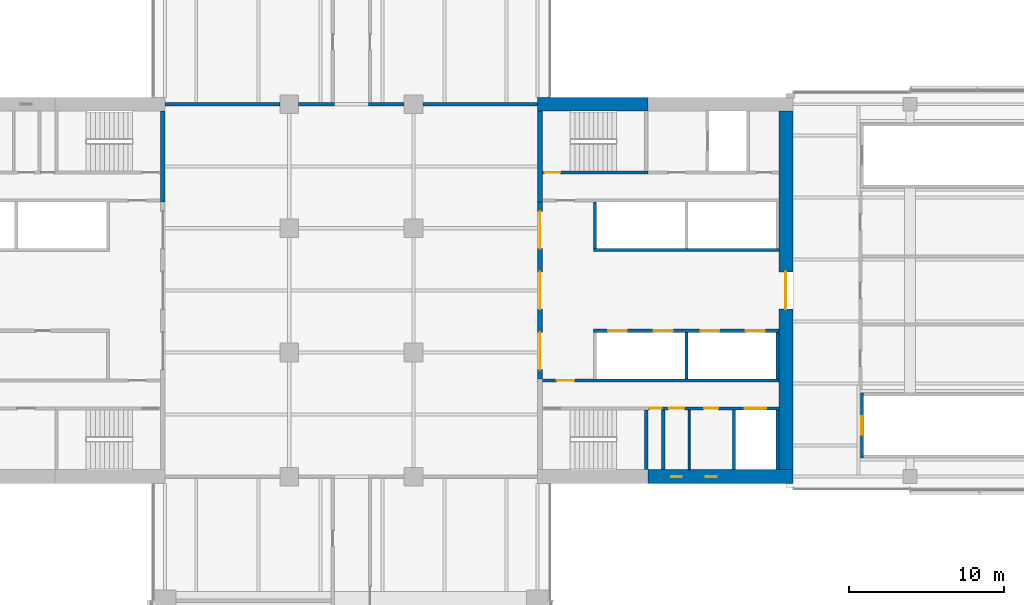
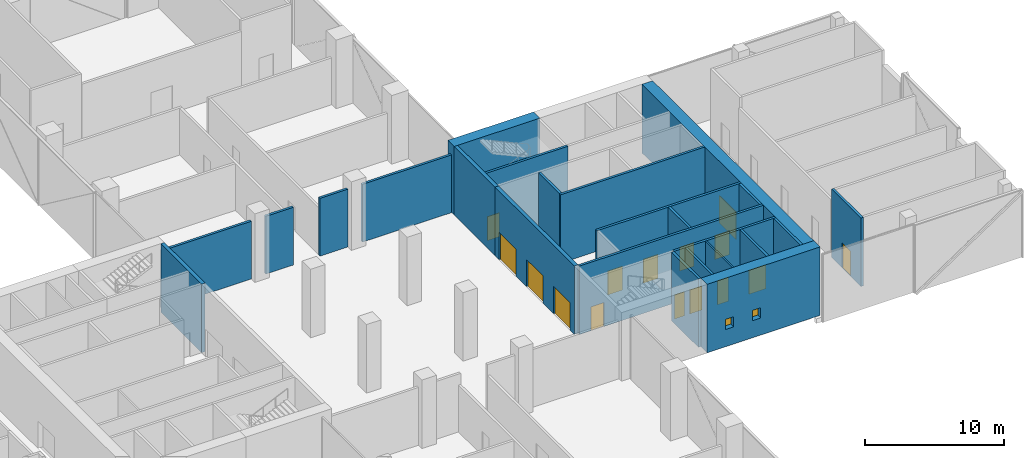
# One storey, part 16 of 23: 24 walls, 15 doors, 2 windows, 17 openings.
"""IFC4 building model written with IfcOpenShell, lengths in metres."""

from ifc_helpers import new_model, si_unit, direction, frame, frame_2d, origin, place, context, subcontext, project, spatial, rectangle, extrude, material, layer, layer_set, constituent, constituent_set, type_object, element, fill, save


model = new_model("IFC4")

# Units and contexts
model_context = context("Model", 3, precision=1e-05, world=origin(), true_north=direction((0.0, 1.0)))
body_context = subcontext(model_context, "Body", "Model", "MODEL_VIEW")
ifc_project = project(units=[si_unit("LENGTHUNIT", "METRE"), si_unit("AREAUNIT", "SQUARE_METRE"), si_unit("VOLUMEUNIT", "CUBIC_METRE"), si_unit("PLANEANGLEUNIT", "RADIAN"), si_unit("MASSUNIT", "GRAM", prefix="KILO")], contexts=[model_context])

# Site, building, storey
site_placement = place(None, origin())
site = spatial("IfcSite", under=ifc_project, at=site_placement, CompositionType="ELEMENT")
building_placement = place(site_placement, origin())
building = spatial("IfcBuilding", under=site, at=building_placement, Name="Crosswind Convention Tower", CompositionType="ELEMENT")
storey_placement = place(building_placement, frame((0.0, 0.0, 41.5)))
storey = spatial("IfcBuildingStorey", under=building, at=storey_placement, Name="L05", CompositionType="ELEMENT", Elevation=41.5)

# Wall
ifc_material_1 = material(Name="Concrete blockwork", Category="masonry")
ifc_layer_1 = layer(ifc_material_1, 0.199951171875)
ifc_layer_set_1 = layer_set([ifc_layer_1], Name="Blockwork partition wall 200")
wall_type_1 = type_object("IfcWallType", Name="Blockwork partition wall 200", PredefinedType="PARTITIONING", material=ifc_layer_set_1)
wall_1_placement = place(storey_placement, frame((145.10009765625, 88.449951171875, 0.0), z_axis=(0.0, 0.0, 1.0), x_axis=(0.0, 1.0, 0.0)))
element("IfcWall", 1, at=wall_1_placement, inside=storey, type_object=wall_type_1, Name="Wall MRSE E L05", PredefinedType="PARTITIONING", context=body_context, shape_type="SweptSolid", body=[
    extrude(rectangle(XDim=3.85009765625, YDim=0.199951171875, at=frame_2d((1.925048828125, 0.0))), origin(), (0.0, 0.0, 1.0), 6.0),
])

# Wall, opening, door
ifc_material_2 = material(Name="Concrete C60/75", Category="concrete")
ifc_layer_2 = layer(ifc_material_2, 0.89990234375)
ifc_layer_set_2 = layer_set([ifc_layer_2], Name="Concrete C60/75")
wall_type_2 = type_object("IfcWallType", Name="Concrete core wall 900", PredefinedType="SHEAR", material=ifc_layer_set_2)
wall_2_placement = place(storey_placement, frame((153.0, 88.449951171875, 0.0), z_axis=(0.0, 0.0, 1.0), x_axis=(0.0, 1.0, 0.0)))
wall_2 = element("IfcWall", 2, at=wall_2_placement, inside=storey, type_object=wall_type_2, Name="Wall O E L05", PredefinedType="SHEAR", context=body_context, shape_type="SweptSolid", body=[
    extrude(rectangle(XDim=23.10009765625, YDim=0.89990234375, at=frame_2d((11.550048828125, 0.0))), origin(), (0.0, 0.0, 1.0), 6.0),
])
opening_1_placement = place(wall_2_placement, frame((10.35009765625, 0.0, 0.0)))
opening_1 = element("IfcOpeningElement", 3, at=opening_1_placement, cuts=wall_2, Name="Opening D100", PredefinedType="OPENING", context=body_context, shape_type="SweptSolid", body=[
    extrude(rectangle(XDim=2.39990234375, YDim=2.39990234375, at=frame_2d((1.199951171875, 1.199951171875))), frame((0.0, 0.4599609375, 0.0), z_axis=(0.0, -1.0, 0.0), x_axis=(1.0, 0.0, 0.0)), (0.0, 0.0, 1.0), 0.919921875),
])
ifc_material_3 = material(Name="Steel fire door with glazed vision panels", Category="steel")
door_type_1 = type_object("IfcDoorType", Name="Fire-rated double door 2400x2400", OperationType="DOUBLE_DOOR_SINGLE_SWING", PredefinedType="DOOR", material=ifc_material_3)
door_1_placement = place(opening_1_placement, frame((2.39990234375, 0.0, 0.0), z_axis=(0.0, 0.0, 1.0), x_axis=(-1.0, 0.0, 0.0)))
door_1 = element("IfcDoor", 4, at=door_1_placement, inside=storey, type_object=door_type_1, Name="Lobby outer door L05", ObjectType="D100", OperationType="DOUBLE_DOOR_SINGLE_SWING", OverallHeight=2.39990234375, OverallWidth=2.39990234375, PredefinedType="DOOR", context=body_context, shape_type="SweptSolid", body=[
    extrude(rectangle(XDim=2.39990234375, YDim=2.39990234375, at=frame_2d((1.199951171875, 1.199951171875))), frame((0.0, 0.02490234375, 0.0), z_axis=(0.0, -1.0, 0.0), x_axis=(1.0, 0.0, 0.0)), (0.0, 0.0, 1.0), 0.050048828125),
])
fill(opening_1, door_1)

# Wall, openings, doors
ifc_material_4 = material(Name="Concrete C50/60", Category="concrete")
ifc_layer_3 = layer(ifc_material_4, 0.300048828125)
ifc_layer_set_3 = layer_set([ifc_layer_3], Name="Concrete C50/60")
wall_type_3 = type_object("IfcWallType", Name="Concrete inner core wall 300", PredefinedType="SHEAR", material=ifc_layer_set_3)
wall_3_placement = place(storey_placement, frame((137.14990234375, 94.300048828125, 0.0), z_axis=(0.0, 0.0, 1.0), x_axis=(0.0, 1.0, 0.0)))
wall_3 = element("IfcWall", 5, at=wall_3_placement, inside=storey, type_object=wall_type_3, Name="Wall SCR E L05", PredefinedType="SHEAR", context=body_context, shape_type="SweptSolid", body=[
    extrude(rectangle(XDim=11.39990234375, YDim=0.300048828125, at=frame_2d((5.699951171875, 0.0))), origin(), (0.0, 0.0, 1.0), 6.0),
])
opening_2_placement = place(wall_3_placement, frame((0.60009765625, 0.0, 0.0)))
opening_2 = element("IfcOpeningElement", 6, at=opening_2_placement, cuts=wall_3, Name="Opening D100", PredefinedType="OPENING", context=body_context, shape_type="SweptSolid", body=[
    extrude(rectangle(XDim=2.39990234375, YDim=2.39990234375, at=frame_2d((1.199951171875, 1.199951171875))), frame((0.0, 0.159912109375, 0.0), z_axis=(0.0, -1.0, 0.0), x_axis=(1.0, 0.0, 0.0)), (0.0, 0.0, 1.0), 0.320068359375),
])
opening_3_placement = place(wall_3_placement, frame((4.5, 0.0, 0.0)))
opening_3 = element("IfcOpeningElement", 7, at=opening_3_placement, cuts=wall_3, Name="Opening D100", PredefinedType="OPENING", context=body_context, shape_type="SweptSolid", body=[
    extrude(rectangle(XDim=2.39990234375, YDim=2.39990234375, at=frame_2d((1.199951171875, 1.199951171875))), frame((0.0, 0.159912109375, 0.0), z_axis=(0.0, -1.0, 0.0), x_axis=(1.0, 0.0, 0.0)), (0.0, 0.0, 1.0), 0.320068359375),
])
opening_4_placement = place(wall_3_placement, frame((8.39990234375, 0.0, 0.0)))
opening_4 = element("IfcOpeningElement", 8, at=opening_4_placement, cuts=wall_3, Name="Opening D100", PredefinedType="OPENING", context=body_context, shape_type="SweptSolid", body=[
    extrude(rectangle(XDim=2.39990234375, YDim=2.39990234375, at=frame_2d((1.199951171875, 1.199951171875))), frame((0.0, 0.159912109375, 0.0), z_axis=(0.0, -1.0, 0.0), x_axis=(1.0, 0.0, 0.0)), (0.0, 0.0, 1.0), 0.320068359375),
])
door_2_placement = place(opening_2_placement, frame((2.39990234375, 0.0, 0.0), z_axis=(0.0, 0.0, 1.0), x_axis=(-1.0, 0.0, 0.0)))
door_2 = element("IfcDoor", 9, at=door_2_placement, inside=storey, type_object=door_type_1, Name="Lobby door 1 L05", ObjectType="D100", OperationType="DOUBLE_DOOR_SINGLE_SWING", OverallHeight=2.39990234375, OverallWidth=2.39990234375, PredefinedType="DOOR", context=body_context, shape_type="SweptSolid", body=[
    extrude(rectangle(XDim=2.39990234375, YDim=2.39990234375, at=frame_2d((1.199951171875, 1.199951171875))), frame((0.0, 0.02490234375, 0.0), z_axis=(0.0, -1.0, 0.0), x_axis=(1.0, 0.0, 0.0)), (0.0, 0.0, 1.0), 0.050048828125),
])
fill(opening_2, door_2)
door_3_placement = place(opening_3_placement, frame((2.39990234375, 0.0, 0.0), z_axis=(0.0, 0.0, 1.0), x_axis=(-1.0, 0.0, 0.0)))
door_3 = element("IfcDoor", 10, at=door_3_placement, inside=storey, type_object=door_type_1, Name="Lobby door 2 L05", ObjectType="D100", OperationType="DOUBLE_DOOR_SINGLE_SWING", OverallHeight=2.39990234375, OverallWidth=2.39990234375, PredefinedType="DOOR", context=body_context, shape_type="SweptSolid", body=[
    extrude(rectangle(XDim=2.39990234375, YDim=2.39990234375, at=frame_2d((1.199951171875, 1.199951171875))), frame((0.0, 0.02490234375, 0.0), z_axis=(0.0, -1.0, 0.0), x_axis=(1.0, 0.0, 0.0)), (0.0, 0.0, 1.0), 0.050048828125),
])
fill(opening_3, door_3)
door_4_placement = place(opening_4_placement, frame((2.39990234375, 0.0, 0.0), z_axis=(0.0, 0.0, 1.0), x_axis=(-1.0, 0.0, 0.0)))
door_4 = element("IfcDoor", 11, at=door_4_placement, inside=storey, type_object=door_type_1, Name="Lobby door 3 L05", ObjectType="D100", OperationType="DOUBLE_DOOR_SINGLE_SWING", OverallHeight=2.39990234375, OverallWidth=2.39990234375, PredefinedType="DOOR", context=body_context, shape_type="SweptSolid", body=[
    extrude(rectangle(XDim=2.39990234375, YDim=2.39990234375, at=frame_2d((1.199951171875, 1.199951171875))), frame((0.0, 0.02490234375, 0.0), z_axis=(0.0, -1.0, 0.0), x_axis=(1.0, 0.0, 0.0)), (0.0, 0.0, 1.0), 0.050048828125),
])
fill(opening_4, door_4)

# Walls
for number, where, z_axis, x_axis, name in (
    (12, (137.14990234375, 105.699951171875, 0.0), (0.0, 0.0, 1.0), (0.0, 1.0, 0.0), "Wall EP E L05"),
    (13, (112.85009765625, 111.550048828125, 0.0), (0.0, 0.0, 1.0), (0.0, -1.0, 0.0), "Wall EM W L05"),
):
    element("IfcWall", number, at=place(storey_placement, frame(where, z_axis=z_axis, x_axis=x_axis)), inside=storey, type_object=wall_type_3, Name=name, PredefinedType="SHEAR", context=body_context, shape_type="SweptSolid", body=[
        extrude(rectangle(XDim=5.85009765625, YDim=0.300048828125, at=frame_2d((2.925048828125, 0.0))), origin(), (0.0, 0.0, 1.0), 6.0),
    ])
ifc_layer_4 = layer(ifc_material_4, 0.199951171875)
ifc_layer_set_4 = layer_set([ifc_layer_4], Name="Concrete C50/60")
wall_type_4 = type_object("IfcWallType", Name="Concrete shaft and stair wall 200", PredefinedType="SHEAR", material=ifc_layer_set_4)
wall_4_placement = place(storey_placement, frame((140.699951171875, 102.699951171875, 0.0), z_axis=(0.0, 0.0, 1.0), x_axis=(0.0, 1.0, 0.0)))
element("IfcWall", 14, at=wall_4_placement, inside=storey, type_object=wall_type_4, Name="Wall RPEND E L05", PredefinedType="SHEAR", context=body_context, shape_type="SweptSolid", body=[
    extrude(rectangle(XDim=3.0, YDim=0.199951171875, at=frame_2d((1.5, 0.0))), origin(), (0.0, 0.0, 1.0), 6.0),
])
wall_5_placement = place(storey_placement, frame((140.60009765625, 102.60009765625, 0.0), z_axis=(0.0, 0.0, 1.0), x_axis=(1.0, 0.0, 0.0)))
element("IfcWall", 15, at=wall_5_placement, inside=storey, type_object=wall_type_4, Name="Wall RPFRONT E L05", PredefinedType="SHEAR", context=body_context, shape_type="SweptSolid", body=[
    extrude(rectangle(XDim=11.949951171875, YDim=0.199951171875, at=frame_2d((5.97509765625, 0.0))), origin(), (0.0, 0.0, 1.0), 6.0),
])
for number, where, z_axis, x_axis, name in (
    (16, (146.60009765625, 94.300048828125, 0.0), (0.0, 0.0, 1.0), (0.0, 1.0, 0.0), "Wall RMSEP E L05"),
    (17, (152.449951171875, 94.300048828125, 0.0), (0.0, 0.0, 1.0), (0.0, 1.0, 0.0), "Wall RMEAST E L05"),
):
    element("IfcWall", number, at=place(storey_placement, frame(where, z_axis=z_axis, x_axis=x_axis)), inside=storey, type_object=wall_type_4, Name=name, PredefinedType="SHEAR", context=body_context, shape_type="SweptSolid", body=[
        extrude(rectangle(XDim=3.0, YDim=0.199951171875, at=frame_2d((1.5, 0.0))), origin(), (0.0, 0.0, 1.0), 6.0),
    ])

# Wall, openings, doors
wall_6_placement = place(storey_placement, frame((140.60009765625, 97.39990234375, 0.0), z_axis=(0.0, 0.0, 1.0), x_axis=(1.0, 0.0, 0.0)))
wall_6 = element("IfcWall", 18, at=wall_6_placement, inside=storey, type_object=wall_type_4, Name="Wall RMFRONT E L05", PredefinedType="SHEAR", context=body_context, shape_type="SweptSolid", body=[
    extrude(rectangle(XDim=11.949951171875, YDim=0.199951171875, at=frame_2d((5.97509765625, 0.0))), origin(), (0.0, 0.0, 1.0), 6.0),
])
opening_5_placement = place(wall_6_placement, frame((0.949951171875, 0.0, 0.0)))
opening_5 = element("IfcOpeningElement", 19, at=opening_5_placement, cuts=wall_6, Name="Opening LD1", PredefinedType="OPENING", context=body_context, shape_type="SweptSolid", body=[
    extrude(rectangle(XDim=1.199951171875, YDim=2.10009765625, at=frame_2d((0.60009765625, 1.050048828125))), frame((0.0, 0.10986328125, 0.0), z_axis=(0.0, -1.0, 0.0), x_axis=(1.0, 0.0, 0.0)), (0.0, 0.0, 1.0), 0.219970703125),
])
opening_6_placement = place(wall_6_placement, frame((3.89990234375, 0.0, 0.0)))
opening_6 = element("IfcOpeningElement", 20, at=opening_6_placement, cuts=wall_6, Name="Opening LD1", PredefinedType="OPENING", context=body_context, shape_type="SweptSolid", body=[
    extrude(rectangle(XDim=1.199951171875, YDim=2.10009765625, at=frame_2d((0.60009765625, 1.050048828125))), frame((0.0, 0.10986328125, 0.0), z_axis=(0.0, -1.0, 0.0), x_axis=(1.0, 0.0, 0.0)), (0.0, 0.0, 1.0), 0.219970703125),
])
opening_7_placement = place(wall_6_placement, frame((6.89990234375, 0.0, 0.0)))
opening_7 = element("IfcOpeningElement", 21, at=opening_7_placement, cuts=wall_6, Name="Opening LD1", PredefinedType="OPENING", context=body_context, shape_type="SweptSolid", body=[
    extrude(rectangle(XDim=1.199951171875, YDim=2.10009765625, at=frame_2d((0.60009765625, 1.050048828125))), frame((0.0, 0.10986328125, 0.0), z_axis=(0.0, -1.0, 0.0), x_axis=(1.0, 0.0, 0.0)), (0.0, 0.0, 1.0), 0.219970703125),
])
opening_8_placement = place(wall_6_placement, frame((9.824951171875, 0.0, 0.0)))
opening_8 = element("IfcOpeningElement", 22, at=opening_8_placement, cuts=wall_6, Name="Opening LD1", PredefinedType="OPENING", context=body_context, shape_type="SweptSolid", body=[
    extrude(rectangle(XDim=1.199951171875, YDim=2.10009765625, at=frame_2d((0.60009765625, 1.050048828125))), frame((0.0, 0.10986328125, 0.0), z_axis=(0.0, -1.0, 0.0), x_axis=(1.0, 0.0, 0.0)), (0.0, 0.0, 1.0), 0.219970703125),
])
ifc_material_5 = material(Name="Stainless steel", Category="steel")
door_type_2 = type_object("IfcDoorType", Name="Lift landing door 1200x2100", OperationType="DOUBLE_DOOR_SLIDING", PredefinedType="DOOR", material=ifc_material_5)
door_5_placement = place(opening_5_placement, origin())
door_5 = element("IfcDoor", 23, at=door_5_placement, inside=storey, type_object=door_type_2, Name="Landing door H1 L05", ObjectType="LD1", OperationType="DOUBLE_DOOR_SLIDING", OverallHeight=2.10009765625, OverallWidth=1.199951171875, PredefinedType="DOOR", context=body_context, shape_type="SweptSolid", body=[
    extrude(rectangle(XDim=1.199951171875, YDim=2.10009765625, at=frame_2d((0.60009765625, 1.050048828125))), frame((0.0, 0.02490234375, 0.0), z_axis=(0.0, -1.0, 0.0), x_axis=(1.0, 0.0, 0.0)), (0.0, 0.0, 1.0), 0.050048828125),
])
fill(opening_5, door_5)
door_6_placement = place(opening_6_placement, origin())
door_6 = element("IfcDoor", 24, at=door_6_placement, inside=storey, type_object=door_type_2, Name="Landing door H2 L05", ObjectType="LD1", OperationType="DOUBLE_DOOR_SLIDING", OverallHeight=2.10009765625, OverallWidth=1.199951171875, PredefinedType="DOOR", context=body_context, shape_type="SweptSolid", body=[
    extrude(rectangle(XDim=1.199951171875, YDim=2.10009765625, at=frame_2d((0.60009765625, 1.050048828125))), frame((0.0, 0.02490234375, 0.0), z_axis=(0.0, -1.0, 0.0), x_axis=(1.0, 0.0, 0.0)), (0.0, 0.0, 1.0), 0.050048828125),
])
fill(opening_6, door_6)
door_7_placement = place(opening_7_placement, origin())
door_7 = element("IfcDoor", 25, at=door_7_placement, inside=storey, type_object=door_type_2, Name="Landing door H3 L05", ObjectType="LD1", OperationType="DOUBLE_DOOR_SLIDING", OverallHeight=2.10009765625, OverallWidth=1.199951171875, PredefinedType="DOOR", context=body_context, shape_type="SweptSolid", body=[
    extrude(rectangle(XDim=1.199951171875, YDim=2.10009765625, at=frame_2d((0.60009765625, 1.050048828125))), frame((0.0, 0.02490234375, 0.0), z_axis=(0.0, -1.0, 0.0), x_axis=(1.0, 0.0, 0.0)), (0.0, 0.0, 1.0), 0.050048828125),
])
fill(opening_7, door_7)
door_8_placement = place(opening_8_placement, origin())
door_8 = element("IfcDoor", 26, at=door_8_placement, inside=storey, type_object=door_type_2, Name="Landing door H4 L05", ObjectType="LD1", OperationType="DOUBLE_DOOR_SLIDING", OverallHeight=2.10009765625, OverallWidth=1.199951171875, PredefinedType="DOOR", context=body_context, shape_type="SweptSolid", body=[
    extrude(rectangle(XDim=1.199951171875, YDim=2.10009765625, at=frame_2d((0.60009765625, 1.050048828125))), frame((0.0, 0.02490234375, 0.0), z_axis=(0.0, -1.0, 0.0), x_axis=(1.0, 0.0, 0.0)), (0.0, 0.0, 1.0), 0.050048828125),
])
fill(opening_8, door_8)

# Wall, opening, door
wall_7_placement = place(storey_placement, frame((137.300048828125, 107.60009765625, 0.0), z_axis=(0.0, 0.0, 1.0), x_axis=(1.0, 0.0, 0.0)))
wall_7 = element("IfcWall", 27, at=wall_7_placement, inside=storey, type_object=wall_type_4, Name="Wall PCW E L05", PredefinedType="SHEAR", context=body_context, shape_type="SweptSolid", body=[
    extrude(rectangle(XDim=6.800048828125, YDim=0.199951171875, at=frame_2d((3.39990234375, 0.0))), origin(), (0.0, 0.0, 1.0), 6.0),
])
opening_9_placement = place(wall_7_placement, frame((0.14990234375, 0.0, 0.0)))
opening_9 = element("IfcOpeningElement", 28, at=opening_9_placement, cuts=wall_7, Name="Opening D103", PredefinedType="OPENING", context=body_context, shape_type="SweptSolid", body=[
    extrude(rectangle(XDim=1.0, YDim=2.10009765625, at=frame_2d((0.5, 1.050048828125))), frame((0.0, 0.10986328125, 0.0), z_axis=(0.0, -1.0, 0.0), x_axis=(1.0, 0.0, 0.0)), (0.0, 0.0, 1.0), 0.219970703125),
])
ifc_material_6 = material(Name="Steel fire door", Category="steel")
door_type_3 = type_object("IfcDoorType", Name="Fire-rated single door 1000x2100", OperationType="NOTDEFINED", PredefinedType="DOOR", material=ifc_material_6)
door_9_placement = place(opening_9_placement, origin())
door_9 = element("IfcDoor", 29, at=door_9_placement, inside=storey, type_object=door_type_3, Name="Stair ST1 door L05", ObjectType="D103", OperationType="SINGLE_SWING_LEFT", OverallHeight=2.10009765625, OverallWidth=1.0, PredefinedType="DOOR", context=body_context, shape_type="SweptSolid", body=[
    extrude(rectangle(XDim=1.0, YDim=2.10009765625, at=frame_2d((0.5, 1.050048828125))), frame((0.0, 0.02490234375, 0.0), z_axis=(0.0, -1.0, 0.0), x_axis=(1.0, 0.0, 0.0)), (0.0, 0.0, 1.0), 0.050048828125),
])
fill(opening_9, door_9)

wall_8_placement = place(storey_placement, frame((137.300048828125, 94.199951171875, 0.0), z_axis=(0.0, 0.0, 1.0), x_axis=(1.0, 0.0, 0.0)))
wall_8 = element("IfcWall", 30, at=wall_8_placement, inside=storey, type_object=wall_type_4, Name="Wall HM E L05", PredefinedType="SHEAR", context=body_context, shape_type="SweptSolid", body=[
    extrude(rectangle(XDim=15.25, YDim=0.199951171875, at=frame_2d((7.625, 0.0))), origin(), (0.0, 0.0, 1.0), 6.0),
])
opening_10_placement = place(wall_8_placement, frame((0.949951171875, 0.0, 0.0)))
opening_10 = element("IfcOpeningElement", 31, at=opening_10_placement, cuts=wall_8, Name="Opening D104", PredefinedType="OPENING", context=body_context, shape_type="SweptSolid", body=[
    extrude(rectangle(XDim=1.10009765625, YDim=2.10009765625, at=frame_2d((0.550048828125, 1.050048828125))), frame((0.0, 0.10986328125, 0.0), z_axis=(0.0, -1.0, 0.0), x_axis=(1.0, 0.0, 0.0)), (0.0, 0.0, 1.0), 0.219970703125),
])
door_type_4 = type_object("IfcDoorType", Name="Fire-rated single door 1100x2100", OperationType="NOTDEFINED", PredefinedType="DOOR", material=ifc_material_6)
door_10_placement = place(opening_10_placement, frame((1.10009765625, 0.0, 0.0), z_axis=(0.0, 0.0, 1.0), x_axis=(-1.0, 0.0, 0.0)))
door_10 = element("IfcDoor", 32, at=door_10_placement, inside=storey, type_object=door_type_4, Name="Corridor door L05", ObjectType="D104", OperationType="SINGLE_SWING_RIGHT", OverallHeight=2.10009765625, OverallWidth=1.10009765625, PredefinedType="DOOR", context=body_context, shape_type="SweptSolid", body=[
    extrude(rectangle(XDim=1.10009765625, YDim=2.10009765625, at=frame_2d((0.550048828125, 1.050048828125))), frame((0.0, 0.02490234375, 0.0), z_axis=(0.0, -1.0, 0.0), x_axis=(1.0, 0.0, 0.0)), (0.0, 0.0, 1.0), 0.050048828125),
])
fill(opening_10, door_10)

# Walls
for number, where, z_axis, x_axis, name in (
    (33, (144.0, 88.449951171875, 0.0), (0.0, 0.0, 1.0), (0.0, 1.0, 0.0), "Wall MSE E L05"),
    (34, (149.64990234375, 88.449951171875, 0.0), (0.0, 0.0, 1.0), (0.0, 1.0, 0.0), "Wall MFSW E L05"),
    (35, (152.449951171875, 88.449951171875, 0.0), (0.0, 0.0, 1.0), (0.0, 1.0, 0.0), "Wall MFSE E L05"),
):
    element("IfcWall", number, at=place(storey_placement, frame(where, z_axis=z_axis, x_axis=x_axis)), inside=storey, type_object=wall_type_4, Name=name, PredefinedType="SHEAR", context=body_context, shape_type="SweptSolid", body=[
        extrude(rectangle(XDim=3.85009765625, YDim=0.199951171875, at=frame_2d((1.925048828125, 0.0))), origin(), (0.0, 0.0, 1.0), 6.0),
    ])

# Wall, openings, doors
wall_9_placement = place(storey_placement, frame((144.10009765625, 92.39990234375, 0.0), z_axis=(0.0, 0.0, 1.0), x_axis=(1.0, 0.0, 0.0)))
wall_9 = element("IfcWall", 36, at=wall_9_placement, inside=storey, type_object=wall_type_4, Name="Wall MCX E L05", PredefinedType="SHEAR", context=body_context, shape_type="SweptSolid", body=[
    extrude(rectangle(XDim=8.449951171875, YDim=0.199951171875, at=frame_2d((4.22509765625, 0.0))), origin(), (0.0, 0.0, 1.0), 6.0),
])
opening_11_placement = place(wall_9_placement, frame((0.10009765625, 0.0, 0.0)))
opening_11 = element("IfcOpeningElement", 37, at=opening_11_placement, cuts=wall_9, Name="Opening D105", PredefinedType="OPENING", context=body_context, shape_type="SweptSolid", body=[
    extrude(rectangle(XDim=0.800048828125, YDim=2.10009765625, at=frame_2d((0.39990234375, 1.050048828125))), frame((0.0, 0.10986328125, 0.0), z_axis=(0.0, -1.0, 0.0), x_axis=(1.0, 0.0, 0.0)), (0.0, 0.0, 1.0), 0.219970703125),
])
opening_12_placement = place(wall_9_placement, frame((1.351806640625, 0.0, 0.0)))
opening_12 = element("IfcOpeningElement", 38, at=opening_12_placement, cuts=wall_9, Name="Opening D103", PredefinedType="OPENING", context=body_context, shape_type="SweptSolid", body=[
    extrude(rectangle(XDim=1.0, YDim=2.10009765625, at=frame_2d((0.5, 1.050048828125))), frame((0.0, 0.10986328125, 0.0), z_axis=(0.0, -1.0, 0.0), x_axis=(1.0, 0.0, 0.0)), (0.0, 0.0, 1.0), 0.219970703125),
])
opening_13_placement = place(wall_9_placement, frame((3.63916015625, 0.0, 0.0)))
opening_13 = element("IfcOpeningElement", 39, at=opening_13_placement, cuts=wall_9, Name="Opening D106", PredefinedType="OPENING", context=body_context, shape_type="SweptSolid", body=[
    extrude(rectangle(XDim=0.89990234375, YDim=2.10009765625, at=frame_2d((0.449951171875, 1.050048828125))), frame((0.0, 0.10986328125, 0.0), z_axis=(0.0, -1.0, 0.0), x_axis=(1.0, 0.0, 0.0)), (0.0, 0.0, 1.0), 0.219970703125),
])
opening_14_placement = place(wall_9_placement, frame((6.25, 0.0, 0.0)))
opening_14 = element("IfcOpeningElement", 40, at=opening_14_placement, cuts=wall_9, Name="Opening LD2", PredefinedType="OPENING", context=body_context, shape_type="SweptSolid", body=[
    extrude(rectangle(XDim=1.39990234375, YDim=2.10009765625, at=frame_2d((0.699951171875, 1.050048828125))), frame((0.0, 0.10986328125, 0.0), z_axis=(0.0, -1.0, 0.0), x_axis=(1.0, 0.0, 0.0)), (0.0, 0.0, 1.0), 0.219970703125),
])
door_11_placement = place(opening_12_placement, frame((1.0, 0.0, 0.0), z_axis=(0.0, 0.0, 1.0), x_axis=(-1.0, 0.0, 0.0)))
door_11 = element("IfcDoor", 41, at=door_11_placement, inside=storey, type_object=door_type_3, Name="Door to accessible wc L05", ObjectType="D103", OperationType="SINGLE_SWING_LEFT", OverallHeight=2.10009765625, OverallWidth=1.0, PredefinedType="DOOR", context=body_context, shape_type="SweptSolid", body=[
    extrude(rectangle(XDim=1.0, YDim=2.10009765625, at=frame_2d((0.5, 1.050048828125))), frame((0.0, 0.02490234375, 0.0), z_axis=(0.0, -1.0, 0.0), x_axis=(1.0, 0.0, 0.0)), (0.0, 0.0, 1.0), 0.050048828125),
])
fill(opening_12, door_11)
door_type_5 = type_object("IfcDoorType", Name="Lift landing door 1400x2100", OperationType="DOUBLE_DOOR_SLIDING", PredefinedType="DOOR", material=ifc_material_5)
door_12_placement = place(opening_14_placement, origin())
door_12 = element("IfcDoor", 42, at=door_12_placement, inside=storey, type_object=door_type_5, Name="Landing door SV1 L05", ObjectType="LD2", OperationType="DOUBLE_DOOR_SLIDING", OverallHeight=2.10009765625, OverallWidth=1.39990234375, PredefinedType="DOOR", context=body_context, shape_type="SweptSolid", body=[
    extrude(rectangle(XDim=1.39990234375, YDim=2.10009765625, at=frame_2d((0.699951171875, 1.050048828125))), frame((0.0, 0.02490234375, 0.0), z_axis=(0.0, -1.0, 0.0), x_axis=(1.0, 0.0, 0.0)), (0.0, 0.0, 1.0), 0.050048828125),
])
fill(opening_14, door_12)
door_type_6 = type_object("IfcDoorType", Name="Riser access door 800x2100", OperationType="NOTDEFINED", PredefinedType="DOOR", material=ifc_material_6)
door_13_placement = place(opening_11_placement, frame((0.800048828125, 0.0, 0.0), z_axis=(0.0, 0.0, 1.0), x_axis=(-1.0, 0.0, 0.0)))
door_13 = element("IfcDoor", 43, at=door_13_placement, inside=storey, type_object=door_type_6, Name="Riser door L05", ObjectType="D105", OperationType="SINGLE_SWING_LEFT", OverallHeight=2.10009765625, OverallWidth=0.800048828125, PredefinedType="DOOR", context=body_context, shape_type="SweptSolid", body=[
    extrude(rectangle(XDim=0.800048828125, YDim=2.10009765625, at=frame_2d((0.39990234375, 1.050048828125))), frame((0.0, 0.02490234375, 0.0), z_axis=(0.0, -1.0, 0.0), x_axis=(1.0, 0.0, 0.0)), (0.0, 0.0, 1.0), 0.050048828125),
])
fill(opening_11, door_13)
ifc_material_7 = material(Name="Timber door", Category="wood")
door_type_7 = type_object("IfcDoorType", Name="Single leaf door 900x2100", OperationType="NOTDEFINED", PredefinedType="DOOR", material=ifc_material_7)
door_14_placement = place(opening_13_placement, frame((0.89990234375, 0.0, 0.0), z_axis=(0.0, 0.0, 1.0), x_axis=(-1.0, 0.0, 0.0)))
door_14 = element("IfcDoor", 44, at=door_14_placement, inside=storey, type_object=door_type_7, Name="Door to wc L05", ObjectType="D106", OperationType="SINGLE_SWING_LEFT", OverallHeight=2.10009765625, OverallWidth=0.89990234375, PredefinedType="DOOR", context=body_context, shape_type="SweptSolid", body=[
    extrude(rectangle(XDim=0.89990234375, YDim=2.10009765625, at=frame_2d((0.449951171875, 1.050048828125))), frame((0.0, 0.02490234375, 0.0), z_axis=(0.0, -1.0, 0.0), x_axis=(1.0, 0.0, 0.0)), (0.0, 0.0, 1.0), 0.050048828125),
])
fill(opening_13, door_14)

# Walls
ifc_material_8 = material(Name="Gypsum plasterboard partition", Category="gypsum")
ifc_layer_5 = layer(ifc_material_8, 0.125)
ifc_layer_set_5 = layer_set([ifc_layer_5], Name="Drywall partition wall 125")
wall_type_5 = type_object("IfcWallType", Name="Drywall partition wall 125", PredefinedType="PARTITIONING", material=ifc_layer_set_5)
wall_10_placement = place(storey_placement, frame((146.76611328125, 88.449951171875, 0.0), z_axis=(0.0, 0.0, 1.0), x_axis=(0.0, 1.0, 0.0)))
element("IfcWall", 45, at=wall_10_placement, inside=storey, type_object=wall_type_5, Name="Wall MWP1 E L05", PredefinedType="PARTITIONING", context=body_context, shape_type="SweptSolid", body=[
    extrude(rectangle(XDim=3.85009765625, YDim=0.125, at=frame_2d((1.925048828125, 0.0))), origin(), (0.0, 0.0, 1.0), 6.0),
])
ifc_material_9 = material(Name="Double plasterboard partition", Category="gypsum")
ifc_layer_6 = layer(ifc_material_9, 0.199951171875)
ifc_layer_set_6 = layer_set([ifc_layer_6], Name="HALL WALL 200")
wall_type_6 = type_object("IfcWallType", Name="HALL WALL 200", PredefinedType="PARTITIONING", material=ifc_layer_set_6)
wall_11_placement = place(storey_placement, frame((113.0, 112.0, 0.0), z_axis=(0.0, 0.0, 1.0), x_axis=(1.0, 0.0, 0.0)))
element("IfcWall", 46, at=wall_11_placement, inside=storey, type_object=wall_type_6, Name="Hall Wall 25", PredefinedType="PARTITIONING", context=body_context, shape_type="SweptSolid", body=[
    extrude(rectangle(XDim=7.39990234375, YDim=0.199951171875, at=frame_2d((3.699951171875, 0.0))), origin(), (0.0, 0.0, 1.0), 5.055419921875),
])
for number, where, z_axis, x_axis, name in (
    (47, (121.60009765625, 112.0, 0.0), (0.0, 0.0, 1.0), (1.0, 0.0, 0.0), "Hall Wall 26"),
    (48, (126.10009765625, 112.0, 0.0), (0.0, 0.0, 1.0), (1.0, 0.0, 0.0), "Hall Wall 27"),
):
    element("IfcWall", number, at=place(storey_placement, frame(where, z_axis=z_axis, x_axis=x_axis)), inside=storey, type_object=wall_type_6, Name=name, PredefinedType="PARTITIONING", context=body_context, shape_type="SweptSolid", body=[
        extrude(rectangle(XDim=2.2998046875, YDim=0.199951171875, at=frame_2d((1.14990234375, 0.0))), origin(), (0.0, 0.0, 1.0), 5.060546875),
    ])
wall_12_placement = place(storey_placement, frame((129.60009765625, 112.0, 0.0), z_axis=(0.0, 0.0, 1.0), x_axis=(1.0, 0.0, 0.0)))
element("IfcWall", 49, at=wall_12_placement, inside=storey, type_object=wall_type_6, Name="Hall Wall 28", PredefinedType="PARTITIONING", context=body_context, shape_type="SweptSolid", body=[
    extrude(rectangle(XDim=7.39990234375, YDim=0.199951171875, at=frame_2d((3.699951171875, 0.0))), origin(), (0.0, 0.0, 1.0), 5.055419921875),
])

# Wall, opening, door
ifc_material_10 = material(Name="Concrete C40/50", Category="concrete")
ifc_layer_7 = layer(ifc_material_10, 0.199951171875)
ifc_layer_set_7 = layer_set([ifc_layer_7], Name="Concrete C40/50")
wall_type_7 = type_object("IfcWallType", Name="STAIR ENCLOSURE WALL 200", PredefinedType="SOLIDWALL", material=ifc_layer_set_7)
wall_13_placement = place(storey_placement, frame((157.89990234375, 89.199951171875, 0.0), z_axis=(0.0, 0.0, 1.0), x_axis=(0.0, 1.0, 0.0)))
wall_13 = element("IfcWall", 50, at=wall_13_placement, inside=storey, type_object=wall_type_7, Name="Stair Enclosure Wall 57", PredefinedType="SOLIDWALL", context=body_context, shape_type="SweptSolid", body=[
    extrude(rectangle(XDim=4.199951171875, YDim=0.199951171875, at=frame_2d((2.10009765625, 0.0))), origin(), (0.0, 0.0, 1.0), 6.0),
])
opening_15_placement = place(wall_13_placement, frame((1.5, 0.0, 0.0)))
opening_15 = element("IfcOpeningElement", 51, at=opening_15_placement, cuts=wall_13, Name="Opening 05.016", PredefinedType="OPENING", context=body_context, shape_type="SweptSolid", body=[
    extrude(rectangle(XDim=1.199951171875, YDim=2.199951171875, at=frame_2d((0.60009765625, 1.10009765625))), frame((0.0, 0.10986328125, 0.0), z_axis=(0.0, -1.0, 0.0), x_axis=(1.0, 0.0, 0.0)), (0.0, 0.0, 1.0), 0.219970703125),
])
door_type_8 = type_object("IfcDoorType", Name="STAIR DOOR 1200X2200", OperationType="NOTDEFINED", PredefinedType="DOOR", material=ifc_material_6)
door_15_placement = place(opening_15_placement, frame((1.199951171875, 0.0, 0.0), z_axis=(0.0, 0.0, 1.0), x_axis=(-1.0, 0.0, 0.0)))
door_15 = element("IfcDoor", 52, at=door_15_placement, inside=storey, type_object=door_type_8, Name="Door 05.016", ObjectType="D4", OperationType="SINGLE_SWING_LEFT", OverallHeight=2.199951171875, OverallWidth=1.199951171875, PredefinedType="DOOR", context=body_context, shape_type="SweptSolid", body=[
    extrude(rectangle(XDim=1.199951171875, YDim=2.199951171875, at=frame_2d((0.60009765625, 1.10009765625))), frame((0.0, 0.02490234375, 0.0), z_axis=(0.0, -1.0, 0.0), x_axis=(1.0, 0.0, 0.0)), (0.0, 0.0, 1.0), 0.050048828125),
])
fill(opening_15, door_15)

# Wall
ifc_constituent_1 = constituent(ifc_material_2, Name="Structure")
ifc_material_11 = material(Name="Terracotta rainscreen", Category="ceramic")
ifc_constituent_2 = constituent(ifc_material_11, Name="Facing")
ifc_constituent_set = constituent_set(constituents=[ifc_constituent_1, ifc_constituent_2], Name="Concrete C60/75, Terracotta rainscreen")
wall_type_8 = type_object("IfcWallType", Name="Terracotta rainscreen on concrete core wall 900", PredefinedType="SHEAR", material=ifc_constituent_set)
wall_14_placement = place(storey_placement, frame((137.0, 112.0, 0.0), z_axis=(0.0, 0.0, 1.0), x_axis=(1.0, 0.0, 0.0)))
element("IfcWall", 53, at=wall_14_placement, inside=storey, type_object=wall_type_8, Name="Wall N1 E L05", PredefinedType="SHEAR", context=body_context, shape_type="SweptSolid", body=[
    extrude(rectangle(XDim=7.10009765625, YDim=0.89990234375, at=frame_2d((3.550048828125, 0.0))), origin(), (0.0, 0.0, 1.0), 6.0),
])

# Wall, openings, windows
wall_15_placement = place(storey_placement, frame((144.10009765625, 88.0, 0.0), z_axis=(0.0, 0.0, 1.0), x_axis=(1.0, 0.0, 0.0)))
wall_15 = element("IfcWall", 54, at=wall_15_placement, inside=storey, type_object=wall_type_8, Name="Wall S2 E L05", PredefinedType="SHEAR", context=body_context, shape_type="SweptSolid", body=[
    extrude(rectangle(XDim=9.349853515625, YDim=0.89990234375, at=frame_2d((4.6748046875, 0.0))), origin(), (0.0, 0.0, 1.0), 6.0),
])
opening_16_placement = place(wall_15_placement, frame((1.501708984375, 0.0, 1.5)))
opening_16 = element("IfcOpeningElement", 55, at=opening_16_placement, cuts=wall_15, Name="Opening W2", PredefinedType="OPENING", context=body_context, shape_type="SweptSolid", body=[
    extrude(rectangle(XDim=0.699951171875, YDim=0.89990234375, at=frame_2d((0.35009765625, 0.449951171875))), frame((0.0, 0.4599609375, 0.0), z_axis=(0.0, -1.0, 0.0), x_axis=(1.0, 0.0, 0.0)), (0.0, 0.0, 1.0), 0.919921875),
])
opening_17_placement = place(wall_15_placement, frame((3.7392578125, 0.0, 1.5)))
opening_17 = element("IfcOpeningElement", 56, at=opening_17_placement, cuts=wall_15, Name="Opening W2", PredefinedType="OPENING", context=body_context, shape_type="SweptSolid", body=[
    extrude(rectangle(XDim=0.699951171875, YDim=0.89990234375, at=frame_2d((0.35009765625, 0.449951171875))), frame((0.0, 0.4599609375, 0.0), z_axis=(0.0, -1.0, 0.0), x_axis=(1.0, 0.0, 0.0)), (0.0, 0.0, 1.0), 0.919921875),
])
ifc_material_12 = material(Name="Obscure glass in aluminium frame", Category="aluminium")
window_type = type_object("IfcWindowType", Name="WC window 700x900", PartitioningType="SINGLE_PANEL", PredefinedType="WINDOW", material=ifc_material_12)
window_1_placement = place(opening_16_placement, origin())
window_1 = element("IfcWindow", 57, at=window_1_placement, inside=storey, type_object=window_type, Name="WC window L05", ObjectType="W2", OverallHeight=0.89990234375, OverallWidth=0.699951171875, PartitioningType="SINGLE_PANEL", PredefinedType="WINDOW", context=body_context, shape_type="SweptSolid", body=[
    extrude(rectangle(XDim=0.699951171875, YDim=0.89990234375, at=frame_2d((0.35009765625, 0.449951171875))), frame((0.0, 0.030029296875, 0.0), z_axis=(0.0, -1.0, 0.0), x_axis=(1.0, 0.0, 0.0)), (0.0, 0.0, 1.0), 0.06005859375),
])
fill(opening_16, window_1)
window_2_placement = place(opening_17_placement, origin())
window_2 = element("IfcWindow", 58, at=window_2_placement, inside=storey, type_object=window_type, Name="WC window L05", ObjectType="W2", OverallHeight=0.89990234375, OverallWidth=0.699951171875, PartitioningType="SINGLE_PANEL", PredefinedType="WINDOW", context=body_context, shape_type="SweptSolid", body=[
    extrude(rectangle(XDim=0.699951171875, YDim=0.89990234375, at=frame_2d((0.35009765625, 0.449951171875))), frame((0.0, 0.030029296875, 0.0), z_axis=(0.0, -1.0, 0.0), x_axis=(1.0, 0.0, 0.0)), (0.0, 0.0, 1.0), 0.06005859375),
])
fill(opening_17, window_2)

save(model, "model.ifc")
